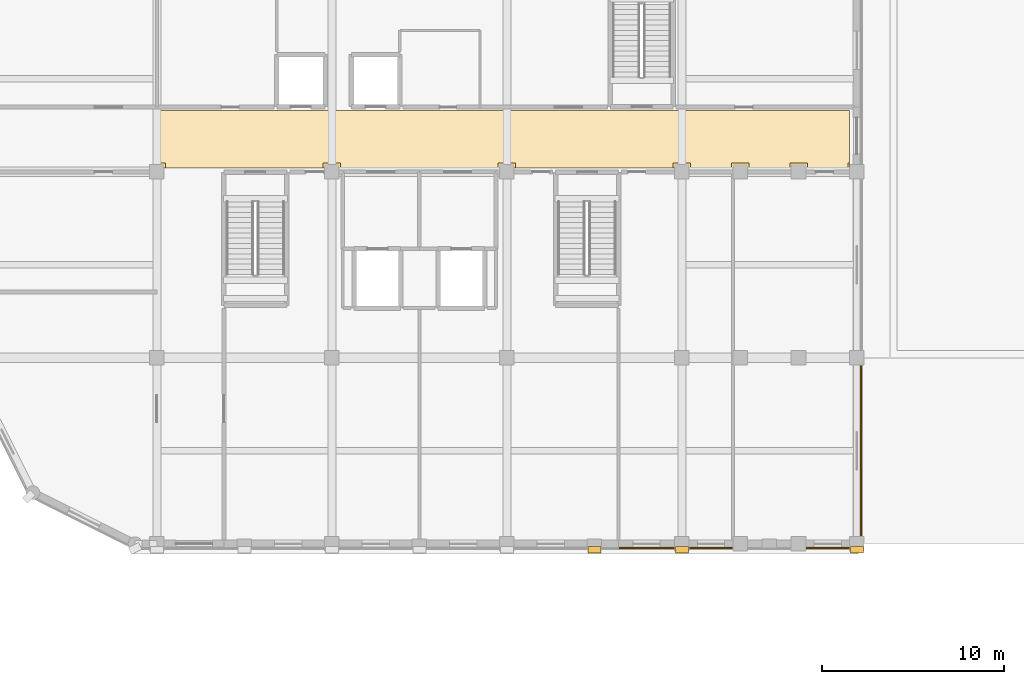
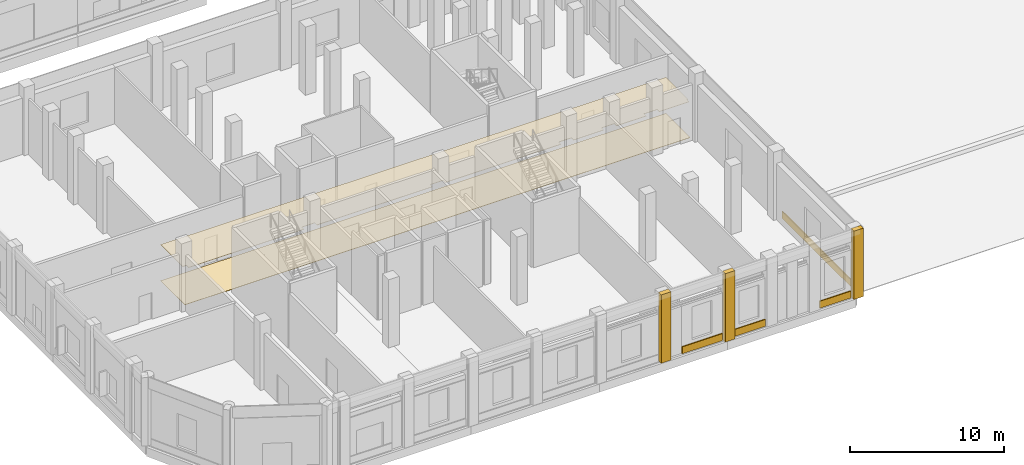
# One storey, part 118 of 137: 9 coverings.
"""IFC4 building model written with IfcOpenShell, lengths in metres."""

from ifc_helpers import new_model, si_unit, direction, frame, origin, origin_2d, place, context, subcontext, project, spatial, polyline, rectangle, outline, extrude, material, layer, layer_set, type_object, element, save


model = new_model("IFC4")

# Units and contexts
model_context = context("Model", 3, precision=1e-05, world=origin(), true_north=direction((0.0, 1.0)))
body_context = subcontext(model_context, "Body", "Model", "MODEL_VIEW")
ifc_project = project(units=[si_unit("LENGTHUNIT", "METRE"), si_unit("AREAUNIT", "SQUARE_METRE"), si_unit("VOLUMEUNIT", "CUBIC_METRE"), si_unit("PLANEANGLEUNIT", "RADIAN"), si_unit("MASSUNIT", "GRAM", prefix="KILO")], contexts=[model_context])

# Site, building, storey
site_placement = place(None, origin())
site = spatial("IfcSite", under=ifc_project, at=site_placement, CompositionType="ELEMENT")
building_placement = place(site_placement, origin())
building = spatial("IfcBuilding", under=site, at=building_placement, Name="Vondelvale Polytechnic", CompositionType="ELEMENT")
storey_placement = place(building_placement, origin())
storey = spatial("IfcBuildingStorey", under=building, at=storey_placement, Name="L00", CompositionType="ELEMENT", Elevation=0.0)

# Coverings
ifc_material_1 = material(Name="Malmsbury bluestone ashlar stone masonry", Category="masonry")
ifc_layer_1 = layer(ifc_material_1, 0.080078125)
ifc_layer_set_1 = layer_set([ifc_layer_1], Name="COV-BLUESTONE-PLINTH")
covering_type_1 = type_object("IfcCoveringType", Name="COV-BLUESTONE-PLINTH", PredefinedType="CLADDING", material=ifc_layer_set_1)
covering_1_placement = place(storey_placement, frame((36.4619140625, -0.236083984375, 0.0), z_axis=(0.0, 0.0, 1.0), x_axis=(-1.0, 0.0, 0.0)))
element("IfcCovering", 1, at=covering_1_placement, inside=storey, type_object=covering_type_1, Name="L00 exterior corbelled masonry relief band", PredefinedType="CLADDING", context=body_context, shape_type="SweptSolid", body=[
    extrude(rectangle(XDim=3.013916015625, YDim=0.080078125, at=origin_2d()), origin(), (0.0, 0.0, 1.0), 0.550048828125),
])
for number, where, z_axis, x_axis, name in (
    (2, (40.0, -0.236083984375, 0.0), (0.0, 0.0, 1.0), (-1.0, 0.0, 0.0), "L00 exterior corbelled masonry relief band"),
    (3, (46.39990234375, -0.236083984375, 0.0), (0.0, 0.0, 1.0), (-1.0, 0.0, 0.0), "L00 exterior corbelled masonry relief band"),
):
    element("IfcCovering", number, at=place(storey_placement, frame(where, z_axis=z_axis, x_axis=x_axis)), inside=storey, type_object=covering_type_1, Name=name, PredefinedType="CLADDING", context=body_context, shape_type="SweptSolid", body=[
        extrude(rectangle(XDim=2.337890625, YDim=0.080078125, at=origin_2d()), origin(), (0.0, 0.0, 1.0), 0.550048828125),
    ])
covering_2_placement = place(storey_placement, frame((48.236083984375, 5.10009765625, 0.0), z_axis=(0.0, 0.0, 1.0), x_axis=(0.0, -1.0, 0.0)))
element("IfcCovering", 4, at=covering_2_placement, inside=storey, type_object=covering_type_1, Name="L00 exterior corbelled masonry relief band", PredefinedType="CLADDING", context=body_context, shape_type="SweptSolid", body=[
    extrude(rectangle(XDim=9.337890625, YDim=0.080078125, at=origin_2d()), origin(), (0.0, 0.0, 1.0), 0.550048828125),
])
for number, where, z_axis, x_axis, name in (
    (5, (33.60009765625, -0.340087890625, 0.0), (0.0, 0.0, 1.0), (1.0, 0.0, 0.0), "L00 Classical street pilaster"),
    (6, (38.39990234375, -0.340087890625, 0.0), (0.0, 0.0, 1.0), (1.0, 0.0, 0.0), "L00 Classical street pilaster"),
    (7, (48.0, -0.340087890625, 0.0), (0.0, 0.0, 1.0), (1.0, 0.0, 0.0), "L00 Classical street pilaster"),
):
    element("IfcCovering", number, at=place(storey_placement, frame(where, z_axis=z_axis, x_axis=x_axis)), inside=storey, type_object=covering_type_1, Name=name, PredefinedType="CLADDING", context=body_context, shape_type="SweptSolid", body=[
        extrude(rectangle(XDim=0.719970703125, YDim=0.360107421875, at=origin_2d()), origin(), (0.0, 0.0, 1.0), 5.39990234375),
    ])
ifc_material_2 = material(Name="Perforated acoustic mineral-fibre and timber-batten ceiling", Category="wood")
ifc_layer_2 = layer(ifc_material_2, 0.030029296875)
ifc_layer_set_2 = layer_set([ifc_layer_2], Name="COV-CEIL-ACOUSTIC")
covering_type_2 = type_object("IfcCoveringType", Name="COV-CEIL-ACOUSTIC", PredefinedType="CEILING", material=ifc_layer_set_2)
covering_3_placement = place(storey_placement, frame((0.0, 0.0, 2.85009765625)))
element("IfcCovering", 8, at=covering_3_placement, inside=storey, type_object=covering_type_2, Name="L00 corridor acoustic baffle ceiling", PredefinedType="CEILING", context=body_context, shape_type="SweptSolid", body=[
    extrude(outline(polyline([(10.080078125, 20.60009765625), (10.080078125, 20.8798828125), (9.800048828125, 20.8798828125), (9.800048828125, 23.75), (47.60009765625, 23.75), (47.60009765625, 20.8798828125), (47.52001953125, 20.8798828125), (47.52001953125, 20.60009765625), (45.280029296875, 20.60009765625), (45.280029296875, 20.8798828125), (44.320068359375, 20.8798828125), (44.320068359375, 20.60009765625), (42.080078125, 20.60009765625), (42.080078125, 20.8798828125), (41.1201171875, 20.8798828125), (41.1201171875, 20.60009765625), (38.8798828125, 20.60009765625), (38.8798828125, 20.8798828125), (37.919921875, 20.8798828125), (37.919921875, 20.60009765625), (29.280029296875, 20.60009765625), (29.280029296875, 20.8798828125), (28.320068359375, 20.8798828125), (28.320068359375, 20.60009765625), (19.679931640625, 20.60009765625), (19.679931640625, 20.8798828125), (18.719970703125, 20.8798828125), (18.719970703125, 20.60009765625), (10.080078125, 20.60009765625)])), origin(), (0.0, 0.0, 1.0), 0.02978515625),
])
ifc_material_3 = material(Name="Polished Victorian aggregate terrazzo flooring")
ifc_layer_3 = layer(ifc_material_3, 0.02490234375)
ifc_layer_set_3 = layer_set([ifc_layer_3], Name="COV-FLOOR-TERRAZZO")
covering_type_3 = type_object("IfcCoveringType", Name="COV-FLOOR-TERRAZZO", PredefinedType="FLOORING", material=ifc_layer_set_3)
covering_4_placement = place(storey_placement, origin())
element("IfcCovering", 9, at=covering_4_placement, inside=storey, type_object=covering_type_3, Name="L00 architectural floor finish", PredefinedType="FLOORING", context=body_context, shape_type="SweptSolid", body=[
    extrude(outline(polyline([(9.800048828125, 20.60009765625), (47.60009765625, 20.60009765625), (47.60009765625, 23.75), (9.800048828125, 23.75), (9.800048828125, 20.60009765625)])), origin(), (0.0, 0.0, 1.0), 0.02490234375),
])

save(model, "model.ifc")
